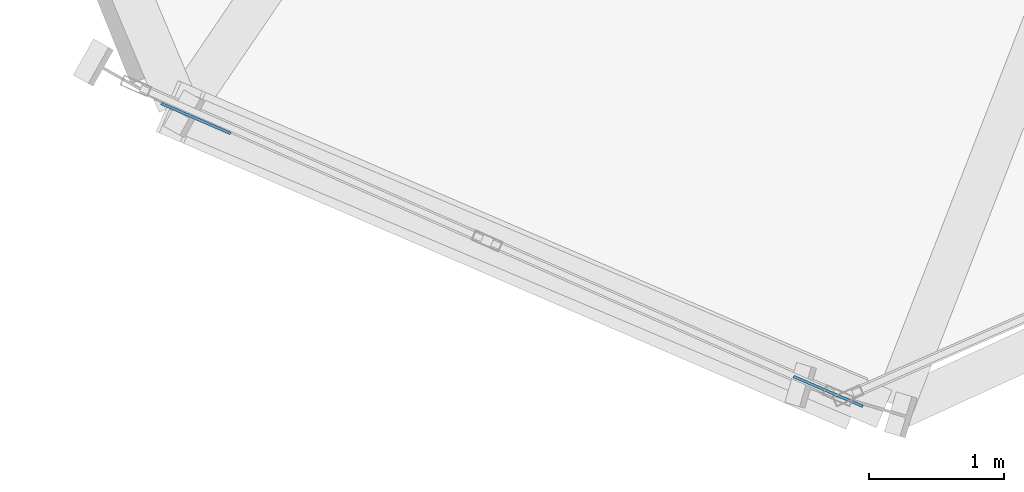
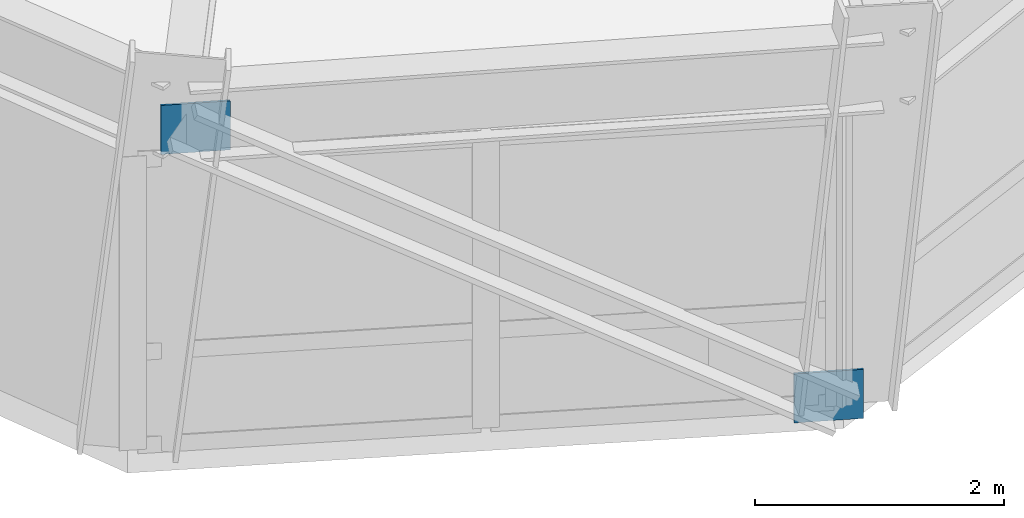
# One storey, part 10 of 17: 2 plates.
"""IFC4 building model written with IfcOpenShell, lengths in metres."""

from ifc_helpers import new_model, si_unit, direction, frame, origin, origin_2d, place, context, subcontext, project, spatial, rectangle, extrude, source, transform, mapped, material, type_object, element, save


model = new_model("IFC4")

# Units and contexts
model_context = context("Model", 3, precision=1e-05, world=origin(), true_north=direction((0.0, 1.0)))
body_context = subcontext(model_context, "Body", "Model", "MODEL_VIEW")
ifc_project = project(units=[si_unit("LENGTHUNIT", "METRE"), si_unit("AREAUNIT", "SQUARE_METRE"), si_unit("VOLUMEUNIT", "CUBIC_METRE"), si_unit("PLANEANGLEUNIT", "RADIAN"), si_unit("MASSUNIT", "GRAM", prefix="KILO")], contexts=[model_context])

# Site, building, storey
site_placement = place(None, origin())
site = spatial("IfcSite", under=ifc_project, at=site_placement, CompositionType="ELEMENT")
building_placement = place(site_placement, origin())
building = spatial("IfcBuilding", under=site, at=building_placement, Name="Olszyna Solenne Hotel", CompositionType="ELEMENT")
storey_placement = place(building_placement, frame((0.0, 0.0, 75.89990234375)))
storey = spatial("IfcBuildingStorey", under=building, at=storey_placement, Name="L19", CompositionType="ELEMENT", Elevation=75.89990234375)

# Plates
ifc_material = material(Name="Steel S355J2", Category="steel")
plate_type = type_object("IfcPlateType", Name="GP-ND2", PredefinedType="USERDEFINED", material=ifc_material)
shared_shape = source(origin(), body_context, "Body", "SweptSolid", [
    extrude(rectangle(XDim=0.56005859375, YDim=0.02001953125, at=origin_2d()), origin(), (0.0, 0.0, 1.0), 0.47998046875),
])
for number, where, z_axis, x_axis, name in (
    (1, (28.47998046875, 3.4609375, -0.158203125), (0.0, 0.0, 1.0), (-0.9181008531, 0.396346847517, 0.0), "Brace end connection gusset plate GP-ND2 EP-BR-L19-3-1"),
    (2, (23.788330078125, 5.486083984375, 2.883544921875), (0.0, 0.0, 1.0), (-0.9181008531, 0.396346847517, 0.0), "Brace end connection gusset plate GP-ND2 EP-BR-L19-3-2"),
):
    element("IfcPlate", number, at=place(storey_placement, frame(where, z_axis=z_axis, x_axis=x_axis)), inside=storey, type_object=plate_type, Name=name, ObjectType="GUSSET_PLATE", PredefinedType="USERDEFINED", context=body_context, shape_type="MappedRepresentation", body=[
        mapped(shared_shape, transform((0.0, 0.0, 0.0), x_axis=(1.0, 0.0, 0.0), y_axis=(0.0, 1.0, 0.0), z_axis=(0.0, 0.0, 1.0), scale=1.0)),
    ])

save(model, "model.ifc")
